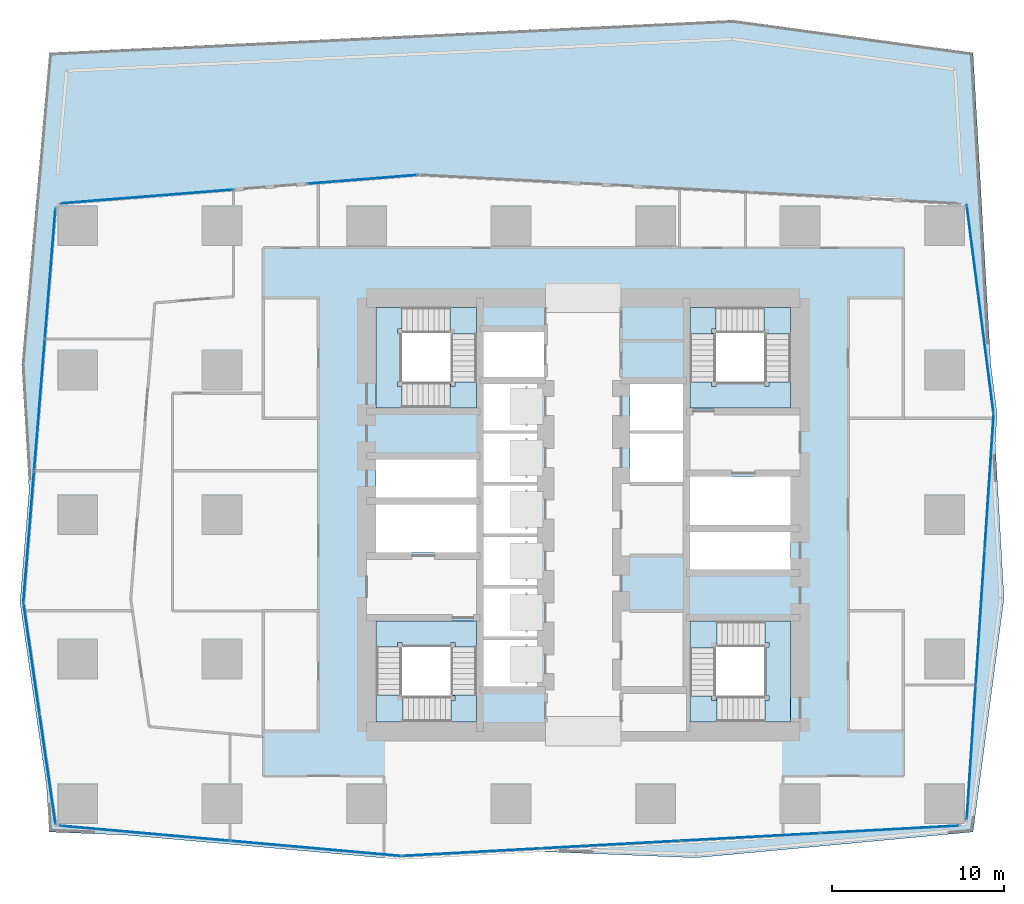
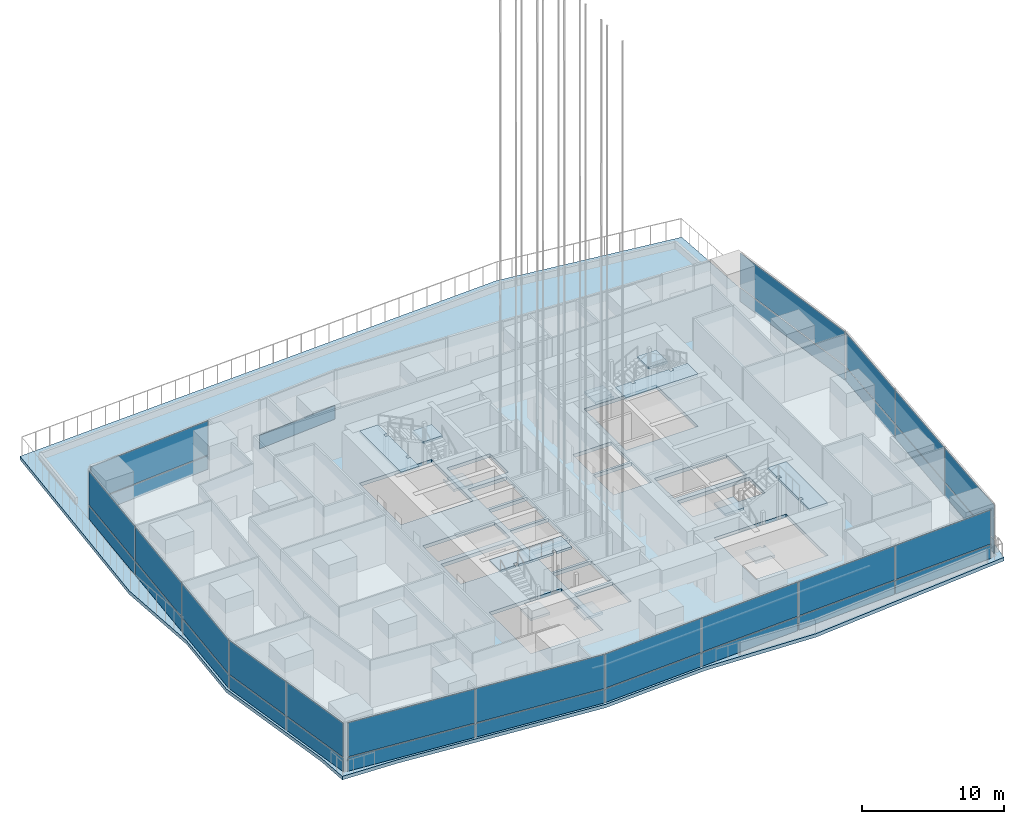
# One storey, part 13 of 39: 33 plates, 13 slabs, 12 elements without a shape of their own.
"""IFC4 building model written with IfcOpenShell, lengths in metres."""

from ifc_helpers import new_model, si_unit, direction, frame, origin, origin_2d, place, context, subcontext, project, spatial, polyline, rectangle, outline, extrude, material, layer, layer_set, type_object, element, aggregate, save


model = new_model("IFC4")

# Units and contexts
model_context = context("Model", 3, precision=1e-05, world=origin(), true_north=direction((0.0, 1.0)))
body_context = subcontext(model_context, "Body", "Model", "MODEL_VIEW")
ifc_project = project(units=[si_unit("LENGTHUNIT", "METRE"), si_unit("AREAUNIT", "SQUARE_METRE"), si_unit("VOLUMEUNIT", "CUBIC_METRE"), si_unit("PLANEANGLEUNIT", "RADIAN"), si_unit("MASSUNIT", "GRAM", prefix="KILO")], contexts=[model_context])

# Site, building, storey
site_placement = place(None, origin())
site = spatial("IfcSite", under=ifc_project, at=site_placement, CompositionType="ELEMENT")
building_placement = place(site_placement, origin())
building = spatial("IfcBuilding", under=site, at=building_placement, Name="Rekha Terrace Tower", CompositionType="ELEMENT")
storey_placement = place(building_placement, frame((0.0, 0.0, 245.60009765625)))
storey = spatial("IfcBuildingStorey", under=building, at=storey_placement, Name="L62", CompositionType="ELEMENT", Elevation=245.60009765625)

# Curtain wall, plates
ifc_material_1 = material(Name="Aluminium framing", Category="aluminium")
curtain_wall_type = type_object("IfcCurtainWallType", Name="CW5 sky garden glazing", PredefinedType="USERDEFINED", material=ifc_material_1)
curtain_wall_1_placement = place(storey_placement, origin())
curtain_wall_1 = element("IfcCurtainWall", 1, at=curtain_wall_1_placement, inside=storey, type_object=curtain_wall_type, Name="CW5 sky garden curtain wall", ObjectType="SKY GARDEN CURTAIN WALL", PredefinedType="USERDEFINED")
ifc_material_2 = material(Name="Laminated double-glazed unit 36", Category="glass")
ifc_layer_1 = layer(ifc_material_2, 0.035888671875)
ifc_layer_set_1 = layer_set([ifc_layer_1], Name="Laminated double-glazed unit 36")
plate_type = type_object("IfcPlateType", Name="CW5 jumbo vision panel, laminated double-glazed unit 36", PredefinedType="CURTAIN_PANEL", material=ifc_layer_set_1)
plate_1_placement = place(storey_placement, frame((12.30712890625, 15.07470703125, 0.0), z_axis=(0.0, 0.0, 1.0), x_axis=(0.99607418266, -0.08852244144, 0.0)))
plate_1 = element("IfcPlate", 2, at=plate_1_placement, type_object=plate_type, Name="CW5 panel 1.1", PredefinedType="CURTAIN_PANEL", context=body_context, shape_type="SweptSolid", body=[
    extrude(rectangle(XDim=9.8525390625, YDim=0.035888671875, at=origin_2d()), origin(), (0.0, 0.0, 1.0), 1.155029296875),
])
plate_2_placement = place(storey_placement, frame((12.30712890625, 15.07470703125, 1.244873046875), z_axis=(0.0, 0.0, 1.0), x_axis=(0.99607418266, -0.08852244144, 0.0)))
plate_2 = element("IfcPlate", 3, at=plate_2_placement, type_object=plate_type, Name="CW5 panel 1.2", PredefinedType="CURTAIN_PANEL", context=body_context, shape_type="SweptSolid", body=[
    extrude(rectangle(XDim=9.8525390625, YDim=0.035888671875, at=origin_2d()), origin(), (0.0, 0.0, 1.0), 2.9150390625),
])
plate_3_placement = place(storey_placement, frame((22.255615234375, 14.190673828125, 0.0), z_axis=(0.0, 0.0, 1.0), x_axis=(0.99607418266, -0.08852244144, 0.0)))
plate_3 = element("IfcPlate", 4, at=plate_3_placement, type_object=plate_type, Name="CW5 panel 2.1", PredefinedType="CURTAIN_PANEL", context=body_context, shape_type="SweptSolid", body=[
    extrude(rectangle(XDim=9.942626953125, YDim=0.035888671875, at=origin_2d()), origin(), (0.0, 0.0, 1.0), 1.155029296875),
])
plate_4_placement = place(storey_placement, frame((22.255615234375, 14.190673828125, 1.244873046875), z_axis=(0.0, 0.0, 1.0), x_axis=(0.99607418266, -0.08852244144, 0.0)))
plate_4 = element("IfcPlate", 5, at=plate_4_placement, type_object=plate_type, Name="CW5 panel 2.2", PredefinedType="CURTAIN_PANEL", context=body_context, shape_type="SweptSolid", body=[
    extrude(rectangle(XDim=9.942626953125, YDim=0.035888671875, at=origin_2d()), origin(), (0.0, 0.0, 1.0), 2.9150390625),
])
aggregate(curtain_wall_1, [plate_1, plate_2, plate_3, plate_4])

curtain_wall_2_placement = place(storey_placement, origin())
curtain_wall_2 = element("IfcCurtainWall", 6, at=curtain_wall_2_placement, inside=storey, type_object=curtain_wall_type, Name="CW5 sky garden curtain wall", ObjectType="SKY GARDEN CURTAIN WALL", PredefinedType="USERDEFINED")
plate_5_placement = place(storey_placement, frame((31.28857421875, 13.972900390625, 0.0), z_axis=(0.0, 0.0, 1.0), x_axis=(0.998519828157, 0.054388903071, 0.0)))
plate_5 = element("IfcPlate", 7, at=plate_5_placement, type_object=plate_type, Name="CW5 panel 1.1", PredefinedType="CURTAIN_PANEL", context=body_context, shape_type="SweptSolid", body=[
    extrude(rectangle(XDim=7.99462890625, YDim=0.035888671875, at=origin_2d()), origin(), (0.0, 0.0, 1.0), 1.155029296875),
])
plate_6_placement = place(storey_placement, frame((31.28857421875, 13.972900390625, 1.244873046875), z_axis=(0.0, 0.0, 1.0), x_axis=(0.998519828157, 0.054388903071, 0.0)))
plate_6 = element("IfcPlate", 8, at=plate_6_placement, type_object=plate_type, Name="CW5 panel 1.2", PredefinedType="CURTAIN_PANEL", context=body_context, shape_type="SweptSolid", body=[
    extrude(rectangle(XDim=7.99462890625, YDim=0.035888671875, at=origin_2d()), origin(), (0.0, 0.0, 1.0), 2.9150390625),
])
plate_7_placement = place(storey_placement, frame((39.383544921875, 14.413818359375, 0.0), z_axis=(0.0, 0.0, 1.0), x_axis=(0.998519828157, 0.054388903071, 0.0)))
plate_7 = element("IfcPlate", 9, at=plate_7_placement, type_object=plate_type, Name="CW5 panel 2.1", PredefinedType="CURTAIN_PANEL", context=body_context, shape_type="SweptSolid", body=[
    extrude(rectangle(XDim=8.03955078125, YDim=0.035888671875, at=origin_2d()), origin(), (0.0, 0.0, 1.0), 1.155029296875),
])
plate_8_placement = place(storey_placement, frame((39.383544921875, 14.413818359375, 1.244873046875), z_axis=(0.0, 0.0, 1.0), x_axis=(0.998519828157, 0.054388903071, 0.0)))
plate_8 = element("IfcPlate", 10, at=plate_8_placement, type_object=plate_type, Name="CW5 panel 2.2", PredefinedType="CURTAIN_PANEL", context=body_context, shape_type="SweptSolid", body=[
    extrude(rectangle(XDim=8.03955078125, YDim=0.035888671875, at=origin_2d()), origin(), (0.0, 0.0, 1.0), 2.9150390625),
])
plate_9_placement = place(storey_placement, frame((47.501220703125, 14.85595703125, 0.0), z_axis=(0.0, 0.0, 1.0), x_axis=(0.998519828157, 0.054388903071, 0.0)))
plate_9 = element("IfcPlate", 11, at=plate_9_placement, type_object=plate_type, Name="CW5 panel 3.1", PredefinedType="CURTAIN_PANEL", context=body_context, shape_type="SweptSolid", body=[
    extrude(rectangle(XDim=8.03955078125, YDim=0.035888671875, at=origin_2d()), origin(), (0.0, 0.0, 1.0), 1.155029296875),
])
plate_10_placement = place(storey_placement, frame((47.501220703125, 14.85595703125, 1.244873046875), z_axis=(0.0, 0.0, 1.0), x_axis=(0.998519828157, 0.054388903071, 0.0)))
plate_10 = element("IfcPlate", 12, at=plate_10_placement, type_object=plate_type, Name="CW5 panel 3.2", PredefinedType="CURTAIN_PANEL", context=body_context, shape_type="SweptSolid", body=[
    extrude(rectangle(XDim=8.03955078125, YDim=0.035888671875, at=origin_2d()), origin(), (0.0, 0.0, 1.0), 2.9150390625),
])
plate_11_placement = place(storey_placement, frame((55.59619140625, 15.296875, 0.0), z_axis=(0.0, 0.0, 1.0), x_axis=(0.998519828157, 0.054388903071, 0.0)))
plate_11 = element("IfcPlate", 13, at=plate_11_placement, type_object=plate_type, Name="CW5 panel 4.1", PredefinedType="CURTAIN_PANEL", context=body_context, shape_type="SweptSolid", body=[
    extrude(rectangle(XDim=7.99462890625, YDim=0.035888671875, at=origin_2d()), origin(), (0.0, 0.0, 1.0), 1.155029296875),
])
plate_12_placement = place(storey_placement, frame((55.59619140625, 15.296875, 1.244873046875), z_axis=(0.0, 0.0, 1.0), x_axis=(0.998519828157, 0.054388903071, 0.0)))
plate_12 = element("IfcPlate", 14, at=plate_12_placement, type_object=plate_type, Name="CW5 panel 4.2", PredefinedType="CURTAIN_PANEL", context=body_context, shape_type="SweptSolid", body=[
    extrude(rectangle(XDim=7.99462890625, YDim=0.035888671875, at=origin_2d()), origin(), (0.0, 0.0, 1.0), 2.9150390625),
])
aggregate(curtain_wall_2, [plate_5, plate_6, plate_7, plate_8, plate_9, plate_10, plate_11, plate_12])

curtain_wall_3_placement = place(storey_placement, origin())
curtain_wall_3 = element("IfcCurtainWall", 15, at=curtain_wall_3_placement, inside=storey, type_object=curtain_wall_type, Name="CW5 sky garden curtain wall", ObjectType="SKY GARDEN CURTAIN WALL", PredefinedType="USERDEFINED")
plate_13_placement = place(storey_placement, frame((60.343994140625, 19.781494140625, 0.0), z_axis=(0.0, 0.0, 1.0), x_axis=(0.066271589649, 0.997801621769, 0.0)))
plate_13 = element("IfcPlate", 16, at=plate_13_placement, type_object=plate_type, Name="CW5 panel 1.1", PredefinedType="CURTAIN_PANEL", context=body_context, shape_type="SweptSolid", body=[
    extrude(rectangle(XDim=7.752197265625, YDim=0.035888671875, at=origin_2d()), origin(), (0.0, 0.0, 1.0), 1.155029296875),
])
plate_14_placement = place(storey_placement, frame((60.343994140625, 19.781494140625, 1.244873046875), z_axis=(0.0, 0.0, 1.0), x_axis=(0.066271589649, 0.997801621769, 0.0)))
plate_14 = element("IfcPlate", 17, at=plate_14_placement, type_object=plate_type, Name="CW5 panel 1.2", PredefinedType="CURTAIN_PANEL", context=body_context, shape_type="SweptSolid", body=[
    extrude(rectangle(XDim=7.752197265625, YDim=0.035888671875, at=origin_2d()), origin(), (0.0, 0.0, 1.0), 2.9150390625),
])
plate_15_placement = place(storey_placement, frame((60.864990234375, 27.62890625, 0.0), z_axis=(0.0, 0.0, 1.0), x_axis=(0.066271589649, 0.997801621769, 0.0)))
plate_15 = element("IfcPlate", 18, at=plate_15_placement, type_object=plate_type, Name="CW5 panel 2.1", PredefinedType="CURTAIN_PANEL", context=body_context, shape_type="SweptSolid", body=[
    extrude(rectangle(XDim=7.79736328125, YDim=0.035888671875, at=origin_2d()), origin(), (0.0, 0.0, 1.0), 1.155029296875),
])
plate_16_placement = place(storey_placement, frame((60.864990234375, 27.62890625, 1.244873046875), z_axis=(0.0, 0.0, 1.0), x_axis=(0.066271589649, 0.997801621769, 0.0)))
plate_16 = element("IfcPlate", 19, at=plate_16_placement, type_object=plate_type, Name="CW5 panel 2.2", PredefinedType="CURTAIN_PANEL", context=body_context, shape_type="SweptSolid", body=[
    extrude(rectangle(XDim=7.79736328125, YDim=0.035888671875, at=origin_2d()), origin(), (0.0, 0.0, 1.0), 2.9150390625),
])
plate_17_placement = place(storey_placement, frame((61.389404296875, 35.521240234375, 0.0), z_axis=(0.0, 0.0, 1.0), x_axis=(0.066271589649, 0.997801621769, 0.0)))
plate_17 = element("IfcPlate", 20, at=plate_17_placement, type_object=plate_type, Name="CW5 panel 3.1", PredefinedType="CURTAIN_PANEL", context=body_context, shape_type="SweptSolid", body=[
    extrude(rectangle(XDim=7.84228515625, YDim=0.035888671875, at=origin_2d()), origin(), (0.0, 0.0, 1.0), 1.155029296875),
])
plate_18_placement = place(storey_placement, frame((61.389404296875, 35.521240234375, 1.244873046875), z_axis=(0.0, 0.0, 1.0), x_axis=(0.066271589649, 0.997801621769, 0.0)))
plate_18 = element("IfcPlate", 21, at=plate_18_placement, type_object=plate_type, Name="CW5 panel 3.2", PredefinedType="CURTAIN_PANEL", context=body_context, shape_type="SweptSolid", body=[
    extrude(rectangle(XDim=7.84228515625, YDim=0.035888671875, at=origin_2d()), origin(), (0.0, 0.0, 1.0), 2.9150390625),
])
aggregate(curtain_wall_3, [plate_13, plate_14, plate_15, plate_16, plate_17, plate_18])

curtain_wall_4_placement = place(storey_placement, origin())
curtain_wall_4 = element("IfcCurtainWall", 22, at=curtain_wall_4_placement, inside=storey, type_object=curtain_wall_type, Name="CW5 sky garden curtain wall", ObjectType="SKY GARDEN CURTAIN WALL", PredefinedType="USERDEFINED")
plate_19_placement = place(storey_placement, frame((60.861083984375, 45.54638671875, 0.0), z_axis=(0.0, 0.0, 1.0), x_axis=(-0.127869904835, 0.991790949463, 0.0)))
plate_19 = element("IfcPlate", 23, at=plate_19_placement, type_object=plate_type, Name="CW5 panel 1.1", PredefinedType="CURTAIN_PANEL", context=body_context, shape_type="SweptSolid", body=[
    extrude(rectangle(XDim=12.146484375, YDim=0.035888671875, at=origin_2d()), origin(), (0.0, 0.0, 1.0), 1.155029296875),
])
plate_20_placement = place(storey_placement, frame((60.861083984375, 45.54638671875, 1.244873046875), z_axis=(0.0, 0.0, 1.0), x_axis=(-0.127869904835, 0.991790949463, 0.0)))
plate_20 = element("IfcPlate", 24, at=plate_20_placement, type_object=plate_type, Name="CW5 panel 1.2", PredefinedType="CURTAIN_PANEL", context=body_context, shape_type="SweptSolid", body=[
    extrude(rectangle(XDim=12.146484375, YDim=0.035888671875, at=origin_2d()), origin(), (0.0, 0.0, 1.0), 2.9150390625),
])
aggregate(curtain_wall_4, [plate_19, plate_20])

# Curtain wall, plate
curtain_wall_5_placement = place(storey_placement, origin())
curtain_wall_5 = element("IfcCurtainWall", 25, at=curtain_wall_5_placement, inside=storey, type_object=curtain_wall_type, Name="CW5 sky garden curtain wall", ObjectType="SKY GARDEN CURTAIN WALL", PredefinedType="USERDEFINED")
plate_21_placement = place(storey_placement, frame((24.98193359375, 53.087158203125, 0.0), z_axis=(0.0, 0.0, 1.0), x_axis=(-0.996836058024, -0.079485051575, 0.0)))
plate_21 = element("IfcPlate", 26, at=plate_21_placement, type_object=plate_type, Name="CW5 panel 1.1", PredefinedType="CURTAIN_PANEL", context=body_context, shape_type="SweptSolid", body=[
    extrude(rectangle(XDim=6.422119140625, YDim=0.035888671875, at=origin_2d()), origin(), (0.0, 0.0, 1.0), 1.155029296875),
])
aggregate(curtain_wall_5, [plate_21])

# Curtain wall, plates
curtain_wall_6_placement = place(storey_placement, origin())
curtain_wall_6 = element("IfcCurtainWall", 27, at=curtain_wall_6_placement, inside=storey, type_object=curtain_wall_type, Name="CW5 sky garden curtain wall", ObjectType="SKY GARDEN CURTAIN WALL", PredefinedType="USERDEFINED")
plate_22_placement = place(storey_placement, frame((12.4267578125, 52.086181640625, 0.0), z_axis=(0.0, 0.0, 1.0), x_axis=(-0.996836058029, -0.079485051505, 0.0)))
plate_22 = element("IfcPlate", 28, at=plate_22_placement, type_object=plate_type, Name="CW5 panel 1.1", PredefinedType="CURTAIN_PANEL", context=body_context, shape_type="SweptSolid", body=[
    extrude(rectangle(XDim=10.008056640625, YDim=0.035888671875, at=origin_2d()), origin(), (0.0, 0.0, 1.0), 1.155029296875),
])
plate_23_placement = place(storey_placement, frame((12.4267578125, 52.086181640625, 1.244873046875), z_axis=(0.0, 0.0, 1.0), x_axis=(-0.996836058029, -0.079485051505, 0.0)))
plate_23 = element("IfcPlate", 29, at=plate_23_placement, type_object=plate_type, Name="CW5 panel 1.2", PredefinedType="CURTAIN_PANEL", context=body_context, shape_type="SweptSolid", body=[
    extrude(rectangle(XDim=10.008056640625, YDim=0.035888671875, at=origin_2d()), origin(), (0.0, 0.0, 1.0), 2.9150390625),
])
aggregate(curtain_wall_6, [plate_22, plate_23])

curtain_wall_7_placement = place(storey_placement, origin())
curtain_wall_7 = element("IfcCurtainWall", 30, at=curtain_wall_7_placement, inside=storey, type_object=curtain_wall_type, Name="CW5 sky garden curtain wall", ObjectType="SKY GARDEN CURTAIN WALL", PredefinedType="USERDEFINED")
plate_24_placement = place(storey_placement, frame((6.8056640625, 47.60888671875, 0.0), z_axis=(0.0, 0.0, 1.0), x_axis=(-0.081067906798, -0.996708580523, 0.0)))
plate_24 = element("IfcPlate", 31, at=plate_24_placement, type_object=plate_type, Name="CW5 panel 1.1", PredefinedType="CURTAIN_PANEL", context=body_context, shape_type="SweptSolid", body=[
    extrude(rectangle(XDim=7.544189453125, YDim=0.035888671875, at=origin_2d()), origin(), (0.0, 0.0, 1.0), 1.155029296875),
])
plate_25_placement = place(storey_placement, frame((6.8056640625, 47.60888671875, 1.244873046875), z_axis=(0.0, 0.0, 1.0), x_axis=(-0.081067906798, -0.996708580523, 0.0)))
plate_25 = element("IfcPlate", 32, at=plate_25_placement, type_object=plate_type, Name="CW5 panel 1.2", PredefinedType="CURTAIN_PANEL", context=body_context, shape_type="SweptSolid", body=[
    extrude(rectangle(XDim=7.544189453125, YDim=0.035888671875, at=origin_2d()), origin(), (0.0, 0.0, 1.0), 2.9150390625),
])
plate_26_placement = place(storey_placement, frame((6.18505859375, 39.977294921875, 0.0), z_axis=(0.0, 0.0, 1.0), x_axis=(-0.081067906798, -0.996708580523, 0.0)))
plate_26 = element("IfcPlate", 33, at=plate_26_placement, type_object=plate_type, Name="CW5 panel 2.1", PredefinedType="CURTAIN_PANEL", context=body_context, shape_type="SweptSolid", body=[
    extrude(rectangle(XDim=7.58935546875, YDim=0.035888671875, at=origin_2d()), origin(), (0.0, 0.0, 1.0), 1.155029296875),
])
plate_27_placement = place(storey_placement, frame((6.18505859375, 39.977294921875, 1.244873046875), z_axis=(0.0, 0.0, 1.0), x_axis=(-0.081067906798, -0.996708580523, 0.0)))
plate_27 = element("IfcPlate", 34, at=plate_27_placement, type_object=plate_type, Name="CW5 panel 2.2", PredefinedType="CURTAIN_PANEL", context=body_context, shape_type="SweptSolid", body=[
    extrude(rectangle(XDim=7.58935546875, YDim=0.035888671875, at=origin_2d()), origin(), (0.0, 0.0, 1.0), 2.9150390625),
])
plate_28_placement = place(storey_placement, frame((5.560546875, 32.30078125, 0.0), z_axis=(0.0, 0.0, 1.0), x_axis=(-0.081067906798, -0.996708580523, 0.0)))
plate_28 = element("IfcPlate", 35, at=plate_28_placement, type_object=plate_type, Name="CW5 panel 3.1", PredefinedType="CURTAIN_PANEL", context=body_context, shape_type="SweptSolid", body=[
    extrude(rectangle(XDim=7.63427734375, YDim=0.035888671875, at=origin_2d()), origin(), (0.0, 0.0, 1.0), 1.155029296875),
])
plate_29_placement = place(storey_placement, frame((5.560546875, 32.30078125, 1.244873046875), z_axis=(0.0, 0.0, 1.0), x_axis=(-0.081067906798, -0.996708580523, 0.0)))
plate_29 = element("IfcPlate", 36, at=plate_29_placement, type_object=plate_type, Name="CW5 panel 3.2", PredefinedType="CURTAIN_PANEL", context=body_context, shape_type="SweptSolid", body=[
    extrude(rectangle(XDim=7.63427734375, YDim=0.035888671875, at=origin_2d()), origin(), (0.0, 0.0, 1.0), 2.9150390625),
])
aggregate(curtain_wall_7, [plate_24, plate_25, plate_26, plate_27, plate_28, plate_29])

curtain_wall_8_placement = place(storey_placement, origin())
curtain_wall_8 = element("IfcCurtainWall", 37, at=curtain_wall_8_placement, inside=storey, type_object=curtain_wall_type, Name="CW5 sky garden curtain wall", ObjectType="SKY GARDEN CURTAIN WALL", PredefinedType="USERDEFINED")
plate_30_placement = place(storey_placement, frame((5.722900390625, 25.233642578125, 0.0), z_axis=(0.0, 0.0, 1.0), x_axis=(0.143108322695, -0.989707031386, 0.0)))
plate_30 = element("IfcPlate", 38, at=plate_30_placement, type_object=plate_type, Name="CW5 panel 1.1", PredefinedType="CURTAIN_PANEL", context=body_context, shape_type="SweptSolid", body=[
    extrude(rectangle(XDim=6.412841796875, YDim=0.035888671875, at=origin_2d()), origin(), (0.0, 0.0, 1.0), 1.155029296875),
])
plate_31_placement = place(storey_placement, frame((5.722900390625, 25.233642578125, 1.244873046875), z_axis=(0.0, 0.0, 1.0), x_axis=(0.143108322695, -0.989707031386, 0.0)))
plate_31 = element("IfcPlate", 39, at=plate_31_placement, type_object=plate_type, Name="CW5 panel 1.2", PredefinedType="CURTAIN_PANEL", context=body_context, shape_type="SweptSolid", body=[
    extrude(rectangle(XDim=6.412841796875, YDim=0.035888671875, at=origin_2d()), origin(), (0.0, 0.0, 1.0), 2.9150390625),
])
plate_32_placement = place(storey_placement, frame((6.653564453125, 18.7978515625, 0.0), z_axis=(0.0, 0.0, 1.0), x_axis=(0.143108322695, -0.989707031386, 0.0)))
plate_32 = element("IfcPlate", 40, at=plate_32_placement, type_object=plate_type, Name="CW5 panel 2.1", PredefinedType="CURTAIN_PANEL", context=body_context, shape_type="SweptSolid", body=[
    extrude(rectangle(XDim=6.412841796875, YDim=0.035888671875, at=origin_2d()), origin(), (0.0, 0.0, 1.0), 1.155029296875),
])
plate_33_placement = place(storey_placement, frame((6.653564453125, 18.7978515625, 1.244873046875), z_axis=(0.0, 0.0, 1.0), x_axis=(0.143108322695, -0.989707031386, 0.0)))
plate_33 = element("IfcPlate", 41, at=plate_33_placement, type_object=plate_type, Name="CW5 panel 2.2", PredefinedType="CURTAIN_PANEL", context=body_context, shape_type="SweptSolid", body=[
    extrude(rectangle(XDim=6.412841796875, YDim=0.035888671875, at=origin_2d()), origin(), (0.0, 0.0, 1.0), 2.9150390625),
])
aggregate(curtain_wall_8, [plate_30, plate_31, plate_32, plate_33])

# Stair, slabs
ifc_material_3 = material(Name="Concrete M40", Category="concrete")
stair_type = type_object("IfcStairType", Name="ST30 stair, 30 risers of 150, going 310, 1500 wide flights, 3 flights", PredefinedType="HALF_TURN_STAIR", material=ifc_material_3)
stair_1_placement = place(storey_placement, origin())
stair_1 = element("IfcStair", 42, at=stair_1_placement, inside=storey, type_object=stair_type, Name="Stair ST1 L62 to L63", PredefinedType="HALF_TURN_STAIR")
ifc_layer_2 = layer(ifc_material_3, 0.199951171875)
ifc_layer_set_2 = layer_set([ifc_layer_2], Name="Concrete M40")
slab_type_1 = type_object("IfcSlabType", Name="LD1 200 concrete stair landing", PredefinedType="LANDING", material=ifc_layer_set_2)
slab_1_placement = place(storey_placement, frame((0.0, 0.0, 1.2998046875)))
slab_1 = element("IfcSlab", 43, at=slab_1_placement, type_object=slab_type_1, Name="ST1 landing 1", PredefinedType="LANDING", context=body_context, shape_type="SweptSolid", body=[
    extrude(outline(polyline([(30.10009765625, 21.550048828125), (31.60009765625, 21.550048828125), (31.60009765625, 23.110107421875), (30.10009765625, 23.110107421875), (30.10009765625, 23.050048828125), (30.35009765625, 23.050048828125), (30.35009765625, 22.800048828125), (30.10009765625, 22.800048828125), (30.10009765625, 21.550048828125)])), origin(), (0.0, 0.0, 1.0), 0.2001953125),
])
slab_2_placement = place(storey_placement, frame((0.0, 0.0, 2.7998046875)))
slab_2 = element("IfcSlab", 44, at=slab_2_placement, type_object=slab_type_1, Name="ST1 landing 2", PredefinedType="LANDING", context=body_context, shape_type="SweptSolid", body=[
    extrude(outline(polyline([(27.25, 23.110107421875), (25.75, 23.110107421875), (25.75, 21.550048828125), (27.31005859375, 21.550048828125), (27.31005859375, 23.050048828125), (27.25, 23.050048828125), (27.25, 23.110107421875)])), origin(), (0.0, 0.0, 1.0), 0.2001953125),
])
slab_3_placement = place(storey_placement, frame((0.0, 0.0, 4.2998046875)))
slab_3 = element("IfcSlab", 45, at=slab_3_placement, type_object=slab_type_1, Name="ST1 landing 3", PredefinedType="LANDING", context=body_context, shape_type="SweptSolid", body=[
    extrude(outline(polyline([(31.60009765625, 25.89990234375), (31.60009765625, 27.39990234375), (25.75, 27.39990234375), (25.75, 25.89990234375), (27.0, 25.89990234375), (27.0, 26.14990234375), (27.25, 26.14990234375), (27.25, 25.89990234375), (30.10009765625, 25.89990234375), (30.10009765625, 26.14990234375), (30.35009765625, 26.14990234375), (30.35009765625, 25.89990234375), (31.60009765625, 25.89990234375)])), origin(), (0.0, 0.0, 1.0), 0.2001953125),
])
aggregate(stair_1, [slab_1, slab_2, slab_3])

stair_2_placement = place(storey_placement, origin())
stair_2 = element("IfcStair", 46, at=stair_2_placement, inside=storey, type_object=stair_type, Name="Stair ST2 L62 to L63", PredefinedType="HALF_TURN_STAIR")
slab_4_placement = place(storey_placement, frame((0.0, 0.0, 1.2998046875)))
slab_4 = element("IfcSlab", 47, at=slab_4_placement, type_object=slab_type_1, Name="ST2 landing 1", PredefinedType="LANDING", context=body_context, shape_type="SweptSolid", body=[
    extrude(outline(polyline([(45.5, 45.64990234375), (44.0, 45.64990234375), (44.0, 44.090087890625), (45.5, 44.090087890625), (45.5, 44.14990234375), (45.25, 44.14990234375), (45.25, 44.39990234375), (45.5, 44.39990234375), (45.5, 45.64990234375)])), origin(), (0.0, 0.0, 1.0), 0.2001953125),
])
slab_5_placement = place(storey_placement, frame((0.0, 0.0, 2.7998046875)))
slab_5 = element("IfcSlab", 48, at=slab_5_placement, type_object=slab_type_1, Name="ST2 landing 2", PredefinedType="LANDING", context=body_context, shape_type="SweptSolid", body=[
    extrude(outline(polyline([(48.35009765625, 44.090087890625), (49.85009765625, 44.090087890625), (49.85009765625, 45.64990234375), (48.2900390625, 45.64990234375), (48.2900390625, 44.14990234375), (48.35009765625, 44.14990234375), (48.35009765625, 44.090087890625)])), origin(), (0.0, 0.0, 1.0), 0.2001953125),
])
slab_6_placement = place(storey_placement, frame((0.0, 0.0, 4.2998046875)))
slab_6 = element("IfcSlab", 49, at=slab_6_placement, type_object=slab_type_1, Name="ST2 landing 3", PredefinedType="LANDING", context=body_context, shape_type="SweptSolid", body=[
    extrude(outline(polyline([(44.0, 41.300048828125), (44.0, 39.800048828125), (49.85009765625, 39.800048828125), (49.85009765625, 41.300048828125), (48.60009765625, 41.300048828125), (48.60009765625, 41.050048828125), (48.35009765625, 41.050048828125), (48.35009765625, 41.300048828125), (45.5, 41.300048828125), (45.5, 41.050048828125), (45.25, 41.050048828125), (45.25, 41.300048828125), (44.0, 41.300048828125)])), origin(), (0.0, 0.0, 1.0), 0.2001953125),
])
aggregate(stair_2, [slab_4, slab_5, slab_6])

stair_3_placement = place(storey_placement, origin())
stair_3 = element("IfcStair", 50, at=stair_3_placement, inside=storey, type_object=stair_type, Name="Stair ST3 L62 to L63", PredefinedType="HALF_TURN_STAIR")
slab_7_placement = place(storey_placement, frame((0.0, 0.0, 1.2998046875)))
slab_7 = element("IfcSlab", 51, at=slab_7_placement, type_object=slab_type_1, Name="ST3 landing 1", PredefinedType="LANDING", context=body_context, shape_type="SweptSolid", body=[
    extrude(outline(polyline([(44.0, 23.050048828125), (44.0, 21.550048828125), (45.56005859375, 21.550048828125), (45.56005859375, 23.050048828125), (45.5, 23.050048828125), (45.5, 22.800048828125), (45.25, 22.800048828125), (45.25, 23.050048828125), (44.0, 23.050048828125)])), origin(), (0.0, 0.0, 1.0), 0.2001953125),
])
slab_8_placement = place(storey_placement, frame((0.0, 0.0, 2.7998046875)))
slab_8 = element("IfcSlab", 52, at=slab_8_placement, type_object=slab_type_1, Name="ST3 landing 2", PredefinedType="LANDING", context=body_context, shape_type="SweptSolid", body=[
    extrude(outline(polyline([(45.56005859375, 25.89990234375), (45.56005859375, 27.39990234375), (44.0, 27.39990234375), (44.0, 25.840087890625), (45.5, 25.840087890625), (45.5, 25.89990234375), (45.56005859375, 25.89990234375)])), origin(), (0.0, 0.0, 1.0), 0.2001953125),
])
slab_9_placement = place(storey_placement, frame((0.0, 0.0, 4.2998046875)))
slab_9 = element("IfcSlab", 53, at=slab_9_placement, type_object=slab_type_1, Name="ST3 landing 3", PredefinedType="LANDING", context=body_context, shape_type="SweptSolid", body=[
    extrude(outline(polyline([(48.35009765625, 21.550048828125), (49.85009765625, 21.550048828125), (49.85009765625, 27.39990234375), (48.35009765625, 27.39990234375), (48.35009765625, 26.14990234375), (48.60009765625, 26.14990234375), (48.60009765625, 25.89990234375), (48.35009765625, 25.89990234375), (48.35009765625, 23.050048828125), (48.60009765625, 23.050048828125), (48.60009765625, 22.800048828125), (48.35009765625, 22.800048828125), (48.35009765625, 21.550048828125)])), origin(), (0.0, 0.0, 1.0), 0.2001953125),
])
aggregate(stair_3, [slab_7, slab_8, slab_9])

stair_4_placement = place(storey_placement, origin())
stair_4 = element("IfcStair", 54, at=stair_4_placement, inside=storey, type_object=stair_type, Name="Stair ST4 L62 to L63", PredefinedType="HALF_TURN_STAIR")
slab_10_placement = place(storey_placement, frame((0.0, 0.0, 1.2998046875)))
slab_10 = element("IfcSlab", 55, at=slab_10_placement, type_object=slab_type_1, Name="ST4 landing 1", PredefinedType="LANDING", context=body_context, shape_type="SweptSolid", body=[
    extrude(outline(polyline([(31.60009765625, 41.300048828125), (31.60009765625, 39.800048828125), (30.0400390625, 39.800048828125), (30.0400390625, 41.300048828125), (30.10009765625, 41.300048828125), (30.10009765625, 41.050048828125), (30.35009765625, 41.050048828125), (30.35009765625, 41.300048828125), (31.60009765625, 41.300048828125)])), origin(), (0.0, 0.0, 1.0), 0.2001953125),
])
slab_11_placement = place(storey_placement, frame((0.0, 0.0, 2.7998046875)))
slab_11 = element("IfcSlab", 56, at=slab_11_placement, type_object=slab_type_1, Name="ST4 landing 2", PredefinedType="LANDING", context=body_context, shape_type="SweptSolid", body=[
    extrude(outline(polyline([(30.0400390625, 44.14990234375), (30.0400390625, 45.64990234375), (31.60009765625, 45.64990234375), (31.60009765625, 44.090087890625), (30.10009765625, 44.090087890625), (30.10009765625, 44.14990234375), (30.0400390625, 44.14990234375)])), origin(), (0.0, 0.0, 1.0), 0.2001953125),
])
slab_12_placement = place(storey_placement, frame((0.0, 0.0, 4.2998046875)))
slab_12 = element("IfcSlab", 57, at=slab_12_placement, type_object=slab_type_1, Name="ST4 landing 3", PredefinedType="LANDING", context=body_context, shape_type="SweptSolid", body=[
    extrude(outline(polyline([(27.25, 39.800048828125), (25.75, 39.800048828125), (25.75, 45.64990234375), (27.25, 45.64990234375), (27.25, 44.39990234375), (27.0, 44.39990234375), (27.0, 44.14990234375), (27.25, 44.14990234375), (27.25, 41.300048828125), (27.0, 41.300048828125), (27.0, 41.050048828125), (27.25, 41.050048828125), (27.25, 39.800048828125)])), origin(), (0.0, 0.0, 1.0), 0.2001953125),
])
aggregate(stair_4, [slab_10, slab_11, slab_12])

# Slab
ifc_material_4 = material(Name="Concrete M50", Category="concrete")
ifc_layer_3 = layer(ifc_material_4, 0.300048828125)
ifc_layer_set_3 = layer_set([ifc_layer_3], Name="Concrete M50")
slab_type_2 = type_object("IfcSlabType", Name="SL6 300 sky lobby floor slab", PredefinedType="FLOOR", material=ifc_layer_set_3)
slab_13_placement = place(storey_placement, frame((0.0, 0.0, -0.300048828125)))
element("IfcSlab", 58, at=slab_13_placement, inside=storey, type_object=slab_type_2, Name="Sky lobby floor slab L62", PredefinedType="FLOOR", context=body_context, shape_type="SweptSolid", body=[
    extrude(outline(polyline([(5.050048828125, 28.489990234375), (5.050048828125, 28.489990234375), (5.050048828125, 28.489990234375), (5.050048828125, 28.489990234375), (5.050048828125, 28.489990234375), (6.5927734375, 17.8203125), (6.5927734375, 17.8203125), (6.5927734375, 17.8203125), (6.5927734375, 17.8203125), (6.75, 15.14990234375), (6.75, 15.14990234375), (6.75, 15.14990234375), (6.75, 15.14990234375), (6.75, 15.14990234375), (11.197509765625, 14.972412109375), (11.197509765625, 14.972412109375), (11.197509765625, 14.972412109375), (11.197509765625, 14.972412109375), (27.2041015625, 13.550048828125), (27.2041015625, 13.550048828125), (27.2041015625, 13.550048828125), (27.2041015625, 13.550048828125), (27.2041015625, 13.550048828125), (27.2041015625, 13.550048828125), (27.2041015625, 13.550048828125), (27.2041015625, 13.550048828125), (35.50927734375, 14.00244140625), (35.50927734375, 14.00244140625), (44.340087890625, 13.64990234375), (44.340087890625, 13.64990234375), (60.449951171875, 15.14990234375), (60.449951171875, 15.14990234375), (60.449951171875, 15.14990234375), (62.25, 28.739990234375), (62.25, 28.739990234375), (62.25, 28.739990234375), (61.73828125, 37.756591796875), (61.73828125, 37.756591796875), (61.85009765625, 39.43994140625), (61.85009765625, 39.43994140625), (61.85009765625, 39.43994140625), (61.85009765625, 39.43994140625), (61.85009765625, 39.43994140625), (61.85009765625, 39.43994140625), (61.4794921875, 42.313720703125), (61.4794921875, 42.313720703125), (61.4794921875, 42.313720703125), (61.4794921875, 42.313720703125), (61.4794921875, 42.313720703125), (61.4794921875, 42.313720703125), (61.4794921875, 42.313720703125), (61.4794921875, 42.313720703125), (60.449951171875, 60.449951171875), (60.449951171875, 60.449951171875), (60.449951171875, 60.449951171875), (60.449951171875, 60.449951171875), (60.449951171875, 60.449951171875), (60.449951171875, 60.449951171875), (60.449951171875, 60.449951171875), (46.488037109375, 62.35009765625), (46.488037109375, 62.35009765625), (46.488037109375, 62.35009765625), (46.488037109375, 62.35009765625), (46.488037109375, 62.35009765625), (46.488037109375, 62.35009765625), (6.75, 60.449951171875), (6.75, 60.449951171875), (6.75, 60.449951171875), (6.75, 60.449951171875), (6.75, 60.449951171875), (6.75, 60.449951171875), (6.75, 60.449951171875), (5.14990234375, 42.330078125), (5.14990234375, 42.330078125), (5.14990234375, 42.330078125), (5.14990234375, 42.330078125), (5.14990234375, 42.330078125), (5.14990234375, 42.330078125), (5.14990234375, 42.330078125), (5.14990234375, 42.330078125), (5.580810546875, 35.014404296875), (5.580810546875, 35.014404296875), (5.580810546875, 35.014404296875), (5.580810546875, 35.014404296875), (5.580810546875, 35.014404296875), (5.580810546875, 35.014404296875), (5.580810546875, 35.014404296875), (5.580810546875, 35.014404296875), (5.050048828125, 28.489990234375), (5.050048828125, 28.489990234375)]), holes=[polyline([(31.60009765625, 27.39990234375), (31.60009765625, 21.550048828125), (25.75, 21.550048828125), (25.75, 27.39990234375), (31.60009765625, 27.39990234375)]), polyline([(35.10009765625, 26.300048828125), (35.10009765625, 23.60009765625), (32.0, 23.60009765625), (32.0, 26.300048828125), (35.10009765625, 26.300048828125)]), polyline([(35.10009765625, 29.300048828125), (35.10009765625, 26.5), (32.0, 26.5), (32.0, 29.300048828125), (35.10009765625, 29.300048828125)]), polyline([(35.10009765625, 32.300048828125), (35.10009765625, 29.5), (32.0, 29.5), (32.0, 32.300048828125), (35.10009765625, 32.300048828125)]), polyline([(31.60009765625, 34.199951171875), (31.60009765625, 31.39990234375), (25.75, 31.39990234375), (25.75, 34.199951171875), (31.60009765625, 34.199951171875)]), polyline([(35.10009765625, 35.300048828125), (35.10009765625, 32.5), (32.0, 32.5), (32.0, 35.300048828125), (35.10009765625, 35.300048828125)]), polyline([(31.60009765625, 36.800048828125), (31.60009765625, 34.60009765625), (25.75, 34.60009765625), (25.75, 36.800048828125), (31.60009765625, 36.800048828125)]), polyline([(35.10009765625, 38.300048828125), (35.10009765625, 35.5), (32.0, 35.5), (32.0, 38.300048828125), (35.10009765625, 38.300048828125)]), polyline([(31.60009765625, 45.64990234375), (31.60009765625, 39.800048828125), (25.75, 39.800048828125), (25.75, 45.64990234375), (31.60009765625, 45.64990234375)]), polyline([(49.85009765625, 27.39990234375), (49.85009765625, 21.550048828125), (44.0, 21.550048828125), (44.0, 27.39990234375), (49.85009765625, 27.39990234375)]), polyline([(49.85009765625, 32.60009765625), (49.85009765625, 30.39990234375), (44.0, 30.39990234375), (44.0, 32.60009765625), (49.85009765625, 32.60009765625)]), polyline([(49.85009765625, 35.800048828125), (49.85009765625, 33.0), (44.0, 33.0), (44.0, 35.800048828125), (49.85009765625, 35.800048828125)]), polyline([(43.60009765625, 38.300048828125), (43.60009765625, 35.5), (40.5, 35.5), (40.5, 38.300048828125), (43.60009765625, 38.300048828125)]), polyline([(35.10009765625, 41.199951171875), (35.10009765625, 38.5), (32.0, 38.5), (32.0, 41.199951171875), (35.10009765625, 41.199951171875)]), polyline([(43.60009765625, 41.199951171875), (43.60009765625, 38.5), (40.5, 38.5), (40.5, 41.199951171875), (43.60009765625, 41.199951171875)]), polyline([(49.85009765625, 39.800048828125), (44.0, 39.800048828125), (44.0, 45.64990234375), (49.85009765625, 45.64990234375), (49.85009765625, 39.800048828125)]), polyline([(35.5, 41.60009765625), (32.0, 41.60009765625), (32.0, 44.199951171875), (35.5, 44.199951171875), (35.5, 41.60009765625)])]), origin(), (0.0, 0.0, 1.0), 0.300048828125),
])

save(model, "model.ifc")
